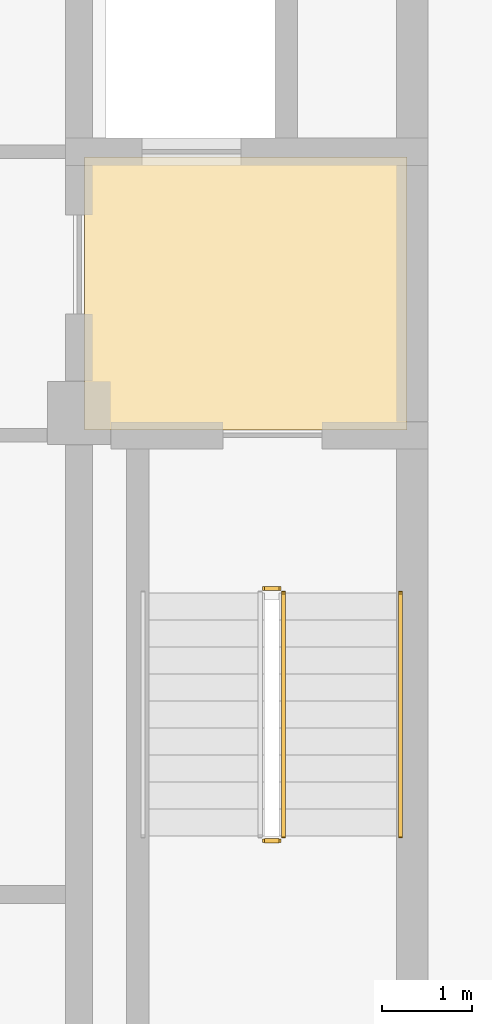
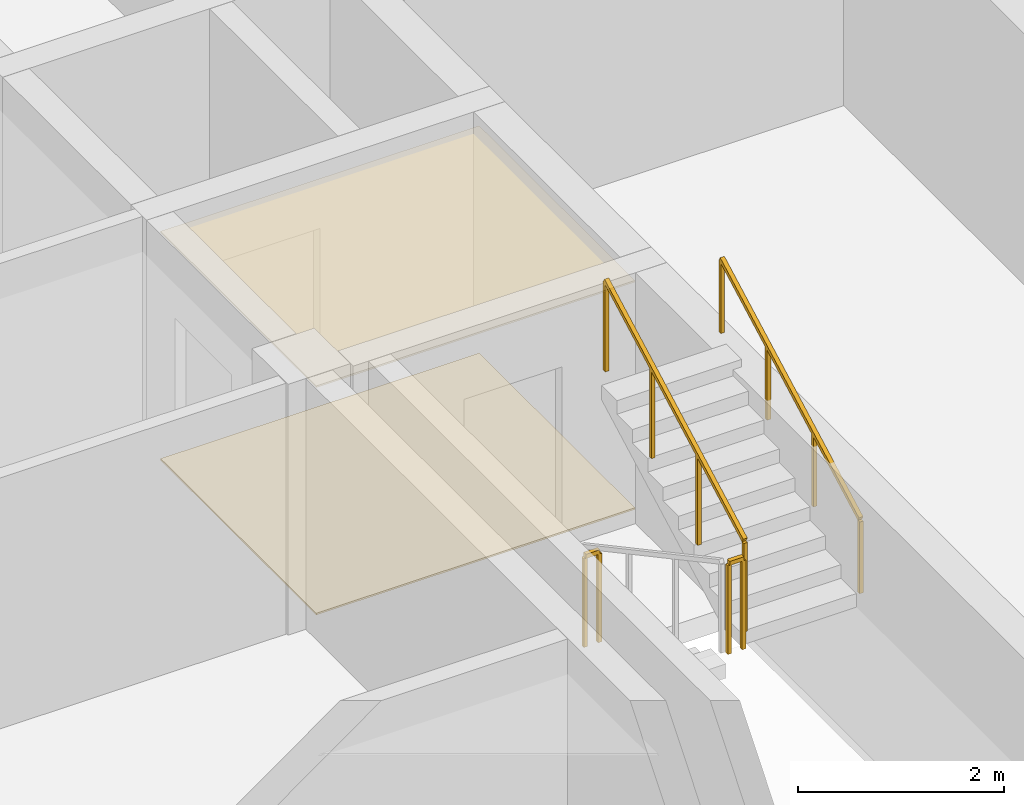
# One storey, part 10 of 11: 4 railings, 2 coverings.
"""IFC4 building model written with IfcOpenShell, lengths in metres."""

from ifc_helpers import new_model, si_unit, direction, frame, origin, origin_2d, place, context, subcontext, project, spatial, polyline, rectangle, outline, extrude, material, layer, layer_set, type_object, element, save


model = new_model("IFC4")

# Units and contexts
model_context = context("Model", 3, precision=1e-05, world=origin(), true_north=direction((0.0, 1.0)))
body_context = subcontext(model_context, "Body", "Model", "MODEL_VIEW")
ifc_project = project(units=[si_unit("LENGTHUNIT", "METRE"), si_unit("AREAUNIT", "SQUARE_METRE"), si_unit("VOLUMEUNIT", "CUBIC_METRE"), si_unit("PLANEANGLEUNIT", "RADIAN"), si_unit("MASSUNIT", "GRAM", prefix="KILO")], contexts=[model_context])

# Site, building, storey
site_placement = place(None, origin())
site = spatial("IfcSite", under=ifc_project, at=site_placement, CompositionType="ELEMENT")
building_placement = place(site_placement, origin())
building = spatial("IfcBuilding", under=site, at=building_placement, Name="Zulmaris Gate Convention Tower", CompositionType="ELEMENT")
storey_placement = place(building_placement, frame((0.0, 0.0, 236.510009765625)))
storey = spatial("IfcBuildingStorey", under=building, at=storey_placement, Name="L62", CompositionType="ELEMENT", Elevation=236.510009765625)

# Coverings
ifc_material_1 = material(Name="Mineral Fibre Acoustic Ceiling Tile")
ifc_layer_1 = layer(ifc_material_1, 0.02001953125, Name="Mineral Fibre Acoustic Ceiling Tile")
ifc_layer_set_1 = layer_set([ifc_layer_1], Name="Mineral Fibre Acoustic Ceiling Tile")
covering_type_1 = type_object("IfcCoveringType", Name="CLG-ACOUSTIC-600", PredefinedType="CEILING", material=ifc_layer_set_1)
covering_1_placement = place(storey_placement, frame((0.0, 0.0, 2.699951171875)))
element("IfcCovering", 1, at=covering_1_placement, inside=storey, type_object=covering_type_1, Name="CLG-L62-R08", PredefinedType="CEILING", context=body_context, shape_type="SweptSolid", body=[
    extrude(outline(polyline([(11.06005859375, -0.18994140625), (14.639892578125, -0.18994140625), (14.639892578125, 2.840087890625), (11.06005859375, 2.840087890625), (11.06005859375, -0.18994140625)])), origin(), (0.0, 0.0, 1.0), 0.02001953125),
])
ifc_material_2 = material(Name="Woven Acoustic Wool Carpet Tile")
ifc_layer_2 = layer(ifc_material_2, 0.02001953125, Name="Woven Acoustic Wool Carpet Tile")
ifc_layer_set_2 = layer_set([ifc_layer_2], Name="Woven Acoustic Wool Carpet Tile")
covering_type_2 = type_object("IfcCoveringType", Name="FLR-CARPET-12", PredefinedType="FLOORING", material=ifc_layer_set_2)
covering_2_placement = place(storey_placement, origin())
element("IfcCovering", 2, at=covering_2_placement, inside=storey, type_object=covering_type_2, Name="FLR-L62-R08", PredefinedType="FLOORING", context=body_context, shape_type="SweptSolid", body=[
    extrude(outline(polyline([(11.06005859375, -0.18994140625), (14.639892578125, -0.18994140625), (14.639892578125, 2.840087890625), (11.06005859375, 2.840087890625), (11.06005859375, -0.18994140625)])), origin(), (0.0, 0.0, 1.0), 0.02001953125),
])

# Railings
ifc_material_3 = material(Name="Painted Galvanised Steel", Category="steel")
railing_type_1 = type_object("IfcRailingType", Name="RL-STG-1150", PredefinedType="GUARDRAIL", material=ifc_material_3)
railing_1_placement = place(storey_placement, frame((13.06005859375, -4.75, 1.614990234375)))
element("IfcRailing", 3, at=railing_1_placement, inside=storey, type_object=railing_type_1, Name="L62 ST-2 stair guard 2", PredefinedType="GUARDRAIL", context=body_context, shape_type="SweptSolid", body=[
    extrude(rectangle(XDim=0.048095703125, YDim=0.048095703125, at=origin_2d()), frame((0.0, 0.0, 1.076171875), z_axis=(1.0, 0.0, 0.0), x_axis=(0.0, 1.0, 0.0)), (0.0, 0.0, 1.0), 0.159912109375),
    extrude(rectangle(XDim=0.0419921875, YDim=0.0419921875, at=origin_2d()), origin(), (0.0, 0.0, 1.0), 1.052001953125),
    extrude(rectangle(XDim=0.0419921875, YDim=0.0419921875, at=origin_2d()), frame((0.159912109375, 0.0, 0.0)), (0.0, 0.0, 1.0), 1.052001953125),
])
railing_2_placement = place(storey_placement, frame((13.27001953125, -4.699951171875, 1.776611328125)))
element("IfcRailing", 4, at=railing_2_placement, inside=storey, type_object=railing_type_1, Name="L62 ST-2 stair guard 3", PredefinedType="GUARDRAIL", context=body_context, shape_type="SweptSolid", body=[
    extrude(rectangle(XDim=0.048095703125, YDim=0.048095703125, at=origin_2d()), frame((0.0, 0.0, 1.076171875), z_axis=(0.0, 0.880532452117, 0.47398586558), x_axis=(-1.0, 0.0, 0.0)), (0.0, 0.0, 1.0), 3.066162109375),
    extrude(rectangle(XDim=0.0419921875, YDim=0.0419921875, at=origin_2d()), origin(), (0.0, 0.0, 1.0), 1.052001953125),
    extrude(rectangle(XDim=0.0419921875, YDim=0.0419921875, at=origin_2d()), frame((0.0, 0.89990234375, 0.484375)), (0.0, 0.0, 1.0), 1.052001953125),
    extrude(rectangle(XDim=0.0419921875, YDim=0.0419921875, at=origin_2d()), frame((0.0, 1.800048828125, 0.968994140625)), (0.0, 0.0, 1.0), 1.052001953125),
    extrude(rectangle(XDim=0.0419921875, YDim=0.0419921875, at=origin_2d()), frame((0.0, 2.699951171875, 1.453369140625)), (0.0, 0.0, 1.0), 1.052001953125),
])
railing_3_placement = place(storey_placement, frame((13.06005859375, -1.949951171875, 0.0)))
element("IfcRailing", 5, at=railing_3_placement, inside=storey, type_object=railing_type_1, Name="L62 ST-2 stair guard 4", PredefinedType="GUARDRAIL", context=body_context, shape_type="SweptSolid", body=[
    extrude(rectangle(XDim=0.048095703125, YDim=0.048095703125, at=origin_2d()), frame((0.0, 0.0, 1.076171875), z_axis=(1.0, 0.0, 0.0), x_axis=(0.0, 1.0, 0.0)), (0.0, 0.0, 1.0), 0.159912109375),
    extrude(rectangle(XDim=0.0419921875, YDim=0.0419921875, at=origin_2d()), origin(), (0.0, 0.0, 1.0), 1.052001953125),
    extrude(rectangle(XDim=0.0419921875, YDim=0.0419921875, at=origin_2d()), frame((0.159912109375, 0.0, 0.0)), (0.0, 0.0, 1.0), 1.052001953125),
])
ifc_material_4 = material(Name="Brushed Stainless Steel", Category="steel")
railing_type_2 = type_object("IfcRailingType", Name="RL-STH-900", PredefinedType="HANDRAIL", material=ifc_material_4)
railing_4_placement = place(storey_placement, frame((14.570068359375, -4.699951171875, 1.776611328125)))
element("IfcRailing", 6, at=railing_4_placement, inside=storey, type_object=railing_type_2, Name="L62 ST-2 stair handrail 2", PredefinedType="HANDRAIL", context=body_context, shape_type="SweptSolid", body=[
    extrude(rectangle(XDim=0.048095703125, YDim=0.048095703125, at=origin_2d()), frame((0.0, 0.0, 0.8759765625), z_axis=(0.0, 0.880532452117, 0.47398586558), x_axis=(-1.0, 0.0, 0.0)), (0.0, 0.0, 1.0), 3.066162109375),
    extrude(rectangle(XDim=0.0419921875, YDim=0.0419921875, at=origin_2d()), origin(), (0.0, 0.0, 1.0), 0.851806640625),
    extrude(rectangle(XDim=0.0419921875, YDim=0.0419921875, at=origin_2d()), frame((0.0, 0.89990234375, 0.484375)), (0.0, 0.0, 1.0), 0.851806640625),
    extrude(rectangle(XDim=0.0419921875, YDim=0.0419921875, at=origin_2d()), frame((0.0, 1.800048828125, 0.968994140625)), (0.0, 0.0, 1.0), 0.851806640625),
    extrude(rectangle(XDim=0.0419921875, YDim=0.0419921875, at=origin_2d()), frame((0.0, 2.699951171875, 1.453369140625)), (0.0, 0.0, 1.0), 0.851806640625),
])

save(model, "model.ifc")
